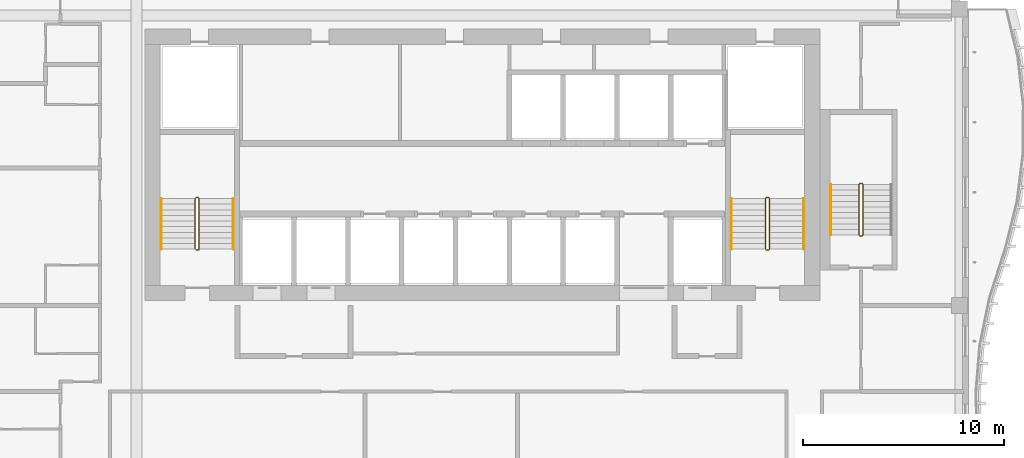
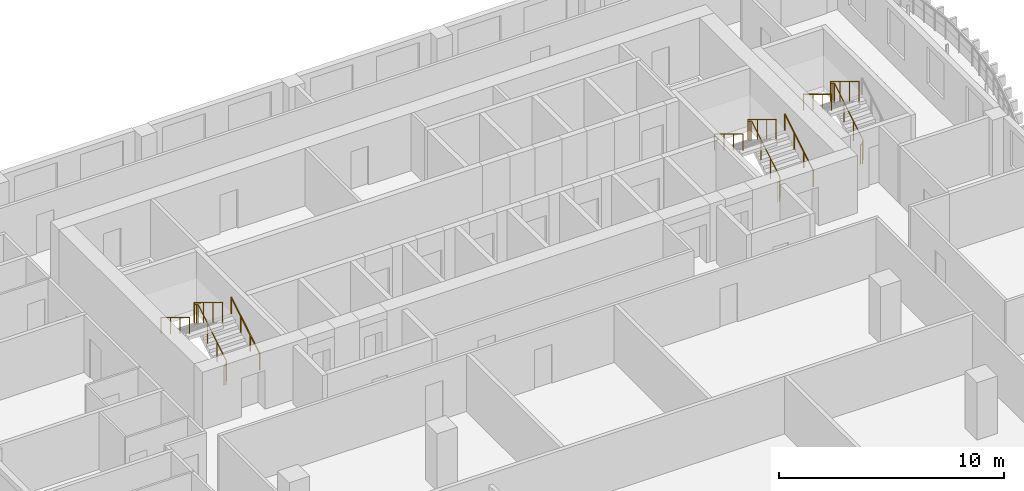
# One storey, part 21 of 22: 8 railings.
"""IFC4 building model written with IfcOpenShell, lengths in metres."""

from ifc_helpers import new_model, si_unit, direction, frame, origin, origin_2d, place, context, subcontext, project, spatial, circle, extrude, material, type_object, element, save


model = new_model("IFC4")

# Units and contexts
model_context = context("Model", 3, precision=1e-05, world=origin(), true_north=direction((0.0, 1.0)))
body_context = subcontext(model_context, "Body", "Model", "MODEL_VIEW")
ifc_project = project(units=[si_unit("LENGTHUNIT", "METRE"), si_unit("AREAUNIT", "SQUARE_METRE"), si_unit("VOLUMEUNIT", "CUBIC_METRE"), si_unit("PLANEANGLEUNIT", "RADIAN"), si_unit("MASSUNIT", "GRAM", prefix="KILO")], contexts=[model_context])

# Site, building, storey
site_placement = place(None, origin())
site = spatial("IfcSite", under=ifc_project, at=site_placement, CompositionType="ELEMENT")
building_placement = place(site_placement, origin())
building = spatial("IfcBuilding", under=site, at=building_placement, Name="Kilnfold Tower and Market Hall", CompositionType="ELEMENT")
storey_placement = place(building_placement, frame((0.0, 0.0, 188.89990234375)))
storey = spatial("IfcBuildingStorey", under=building, at=storey_placement, Name="L45", CompositionType="ELEMENT", Elevation=188.89990234375)

# Railings
ifc_material_1 = material(Name="Stainless steel 316", Category="steel")
railing_type_1 = type_object("IfcRailingType", Name="CORE STAIR GUARD 1100", PredefinedType="GUARDRAIL", material=ifc_material_1)
railing_1_placement = place(storey_placement, frame((-13.199951171875, 10.75, 0.0)))
element("IfcRailing", 1, at=railing_1_placement, inside=storey, type_object=railing_type_1, Name="L45 ST1 stair guard 1", PredefinedType="GUARDRAIL", context=body_context, shape_type="SweptSolid", body=[
    extrude(circle(Radius=0.02392578125, at=origin_2d()), frame((0.0, 0.0, 1.076171875), z_axis=(1.0, 0.0, 0.0), x_axis=(0.0, 1.0, 0.0)), (0.0, 0.0, 1.0), 0.099853515625),
    extrude(circle(Radius=0.02392578125, at=origin_2d()), frame((0.099853515625, 0.0, 1.076171875), z_axis=(0.271562723297, 0.271562723297, 0.923313259209), x_axis=(-0.707106781187, 0.707106781187, 0.0)), (0.0, 0.0, 1.0), 0.184326171875),
    extrude(circle(Radius=0.02392578125, at=origin_2d()), frame((0.14990234375, 0.050048828125, 1.24609375), z_axis=(0.0, 0.85478489116, 0.518982456201), x_axis=(-1.0, 0.0, 0.0)), (0.0, 0.0, 1.0), 2.9482421875),
    extrude(circle(Radius=0.02392578125, at=origin_2d()), frame((0.14990234375, 2.570068359375, 2.7763671875), z_axis=(-0.707106781187, 0.707106781187, 0.0), x_axis=(-0.707106781187, -0.707106781187, 0.0)), (0.0, 0.0, 1.0), 0.07080078125),
    extrude(circle(Radius=0.02392578125, at=origin_2d()), frame((0.099853515625, 2.6201171875, 2.7763671875), z_axis=(-1.0, 0.0, 0.0), x_axis=(0.0, -1.0, 0.0)), (0.0, 0.0, 1.0), 0.099853515625),
    extrude(circle(Radius=0.02392578125, at=origin_2d()), frame((0.0, 2.6201171875, 2.7763671875), z_axis=(-0.271895245746, -0.271895245746, 0.923117517265), x_axis=(0.707106781187, -0.707106781187, 0.0)), (0.0, 0.0, 1.0), 0.18408203125),
    extrude(circle(Radius=0.02392578125, at=origin_2d()), frame((-0.050048828125, 2.570068359375, 2.9462890625), z_axis=(0.0, -0.85478489116, 0.518982456201), x_axis=(1.0, 0.0, 0.0)), (0.0, 0.0, 1.0), 2.9482421875),
    extrude(circle(Radius=0.02099609375, at=origin_2d()), origin(), (0.0, 0.0, 1.0), 1.052001953125),
    extrude(circle(Radius=0.02099609375, at=origin_2d()), frame((0.099853515625, 0.0, 0.0)), (0.0, 0.0, 1.0), 1.052001953125),
    extrude(circle(Radius=0.02099609375, at=origin_2d()), frame((0.14990234375, 0.050048828125, 0.170166015625)), (0.0, 0.0, 1.0), 1.052001953125),
    extrude(circle(Radius=0.02099609375, at=origin_2d()), frame((0.14990234375, 0.89013671875, 0.68017578125)), (0.0, 0.0, 1.0), 1.052001953125),
    extrude(circle(Radius=0.02099609375, at=origin_2d()), frame((0.14990234375, 1.72998046875, 1.190185546875)), (0.0, 0.0, 1.0), 1.052001953125),
    extrude(circle(Radius=0.02099609375, at=origin_2d()), frame((0.14990234375, 2.570068359375, 1.7001953125)), (0.0, 0.0, 1.0), 1.052001953125),
    extrude(circle(Radius=0.02099609375, at=origin_2d()), frame((0.099853515625, 2.6201171875, 1.7001953125)), (0.0, 0.0, 1.0), 1.052001953125),
    extrude(circle(Radius=0.02099609375, at=origin_2d()), frame((0.0, 2.6201171875, 1.7001953125)), (0.0, 0.0, 1.0), 1.052001953125),
    extrude(circle(Radius=0.02099609375, at=origin_2d()), frame((-0.050048828125, 2.570068359375, 1.8701171875)), (0.0, 0.0, 1.0), 1.052001953125),
    extrude(circle(Radius=0.02099609375, at=origin_2d()), frame((-0.050048828125, 1.72998046875, 2.380126953125)), (0.0, 0.0, 1.0), 1.052001953125),
    extrude(circle(Radius=0.02099609375, at=origin_2d()), frame((-0.050048828125, 0.89013671875, 2.89013671875)), (0.0, 0.0, 1.0), 1.052001953125),
    extrude(circle(Radius=0.02099609375, at=origin_2d()), frame((-0.050048828125, 0.050048828125, 3.400146484375)), (0.0, 0.0, 1.0), 1.052001953125),
])
railing_2_placement = place(storey_placement, frame((15.199951171875, 10.75, 0.0)))
element("IfcRailing", 2, at=railing_2_placement, inside=storey, type_object=railing_type_1, Name="L45 ST2 stair guard 1", PredefinedType="GUARDRAIL", context=body_context, shape_type="SweptSolid", body=[
    extrude(circle(Radius=0.02392578125, at=origin_2d()), frame((0.0, 0.0, 1.076171875), z_axis=(1.0, 0.0, 0.0), x_axis=(0.0, 1.0, 0.0)), (0.0, 0.0, 1.0), 0.10009765625),
    extrude(circle(Radius=0.02392578125, at=origin_2d()), frame((0.10009765625, 0.0, 1.076171875), z_axis=(0.271562723297, 0.271562723297, 0.923313259209), x_axis=(-0.707106781187, 0.707106781187, 0.0)), (0.0, 0.0, 1.0), 0.184326171875),
    extrude(circle(Radius=0.02392578125, at=origin_2d()), frame((0.150146484375, 0.050048828125, 1.24609375), z_axis=(0.0, 0.85478489116, 0.518982456201), x_axis=(-1.0, 0.0, 0.0)), (0.0, 0.0, 1.0), 2.9482421875),
    extrude(circle(Radius=0.02392578125, at=origin_2d()), frame((0.150146484375, 2.570068359375, 2.7763671875), z_axis=(-0.707106781187, 0.707106781187, 0.0), x_axis=(-0.707106781187, -0.707106781187, 0.0)), (0.0, 0.0, 1.0), 0.07080078125),
    extrude(circle(Radius=0.02392578125, at=origin_2d()), frame((0.10009765625, 2.6201171875, 2.7763671875), z_axis=(-1.0, 0.0, 0.0), x_axis=(0.0, -1.0, 0.0)), (0.0, 0.0, 1.0), 0.10009765625),
    extrude(circle(Radius=0.02392578125, at=origin_2d()), frame((0.0, 2.6201171875, 2.7763671875), z_axis=(-0.271895245746, -0.271895245746, 0.923117517265), x_axis=(0.707106781187, -0.707106781187, 0.0)), (0.0, 0.0, 1.0), 0.18408203125),
    extrude(circle(Radius=0.02392578125, at=origin_2d()), frame((-0.050048828125, 2.570068359375, 2.9462890625), z_axis=(0.0, -0.85478489116, 0.518982456201), x_axis=(1.0, 0.0, 0.0)), (0.0, 0.0, 1.0), 2.9482421875),
    extrude(circle(Radius=0.02099609375, at=origin_2d()), origin(), (0.0, 0.0, 1.0), 1.052001953125),
    extrude(circle(Radius=0.02099609375, at=origin_2d()), frame((0.10009765625, 0.0, 0.0)), (0.0, 0.0, 1.0), 1.052001953125),
    extrude(circle(Radius=0.02099609375, at=origin_2d()), frame((0.150146484375, 0.050048828125, 0.170166015625)), (0.0, 0.0, 1.0), 1.052001953125),
    extrude(circle(Radius=0.02099609375, at=origin_2d()), frame((0.150146484375, 0.89013671875, 0.68017578125)), (0.0, 0.0, 1.0), 1.052001953125),
    extrude(circle(Radius=0.02099609375, at=origin_2d()), frame((0.150146484375, 1.72998046875, 1.190185546875)), (0.0, 0.0, 1.0), 1.052001953125),
    extrude(circle(Radius=0.02099609375, at=origin_2d()), frame((0.150146484375, 2.570068359375, 1.7001953125)), (0.0, 0.0, 1.0), 1.052001953125),
    extrude(circle(Radius=0.02099609375, at=origin_2d()), frame((0.10009765625, 2.6201171875, 1.7001953125)), (0.0, 0.0, 1.0), 1.052001953125),
    extrude(circle(Radius=0.02099609375, at=origin_2d()), frame((0.0, 2.6201171875, 1.7001953125)), (0.0, 0.0, 1.0), 1.052001953125),
    extrude(circle(Radius=0.02099609375, at=origin_2d()), frame((-0.050048828125, 2.570068359375, 1.8701171875)), (0.0, 0.0, 1.0), 1.052001953125),
    extrude(circle(Radius=0.02099609375, at=origin_2d()), frame((-0.050048828125, 1.72998046875, 2.380126953125)), (0.0, 0.0, 1.0), 1.052001953125),
    extrude(circle(Radius=0.02099609375, at=origin_2d()), frame((-0.050048828125, 0.89013671875, 2.89013671875)), (0.0, 0.0, 1.0), 1.052001953125),
    extrude(circle(Radius=0.02099609375, at=origin_2d()), frame((-0.050048828125, 0.050048828125, 3.400146484375)), (0.0, 0.0, 1.0), 1.052001953125),
])
railing_3_placement = place(storey_placement, frame((19.85009765625, 11.449951171875, 0.0)))
element("IfcRailing", 3, at=railing_3_placement, inside=storey, type_object=railing_type_1, Name="L45 ST5 stair guard 1", PredefinedType="GUARDRAIL", context=body_context, shape_type="SweptSolid", body=[
    extrude(circle(Radius=0.02392578125, at=origin_2d()), frame((0.0, 0.0, 1.076171875), z_axis=(1.0, 0.0, 0.0), x_axis=(0.0, 1.0, 0.0)), (0.0, 0.0, 1.0), 0.099853515625),
    extrude(circle(Radius=0.02392578125, at=origin_2d()), frame((0.099853515625, 0.0, 1.076171875), z_axis=(0.271562723297, 0.271562723297, 0.923313259209), x_axis=(-0.707106781187, 0.707106781187, 0.0)), (0.0, 0.0, 1.0), 0.184326171875),
    extrude(circle(Radius=0.02392578125, at=origin_2d()), frame((0.14990234375, 0.050048828125, 1.24609375), z_axis=(0.0, 0.85478489116, 0.518982456201), x_axis=(-1.0, 0.0, 0.0)), (0.0, 0.0, 1.0), 2.9482421875),
    extrude(circle(Radius=0.02392578125, at=origin_2d()), frame((0.14990234375, 2.570068359375, 2.7763671875), z_axis=(-0.707106781187, 0.707106781187, 0.0), x_axis=(-0.707106781187, -0.707106781187, 0.0)), (0.0, 0.0, 1.0), 0.07080078125),
    extrude(circle(Radius=0.02392578125, at=origin_2d()), frame((0.099853515625, 2.6201171875, 2.7763671875), z_axis=(-1.0, 0.0, 0.0), x_axis=(0.0, -1.0, 0.0)), (0.0, 0.0, 1.0), 0.099853515625),
    extrude(circle(Radius=0.02392578125, at=origin_2d()), frame((0.0, 2.6201171875, 2.7763671875), z_axis=(-0.271895245746, -0.271895245746, 0.923117517265), x_axis=(0.707106781187, -0.707106781187, 0.0)), (0.0, 0.0, 1.0), 0.18408203125),
    extrude(circle(Radius=0.02392578125, at=origin_2d()), frame((-0.050048828125, 2.570068359375, 2.9462890625), z_axis=(0.0, -0.85478489116, 0.518982456201), x_axis=(1.0, 0.0, 0.0)), (0.0, 0.0, 1.0), 2.9482421875),
    extrude(circle(Radius=0.02099609375, at=origin_2d()), origin(), (0.0, 0.0, 1.0), 1.052001953125),
    extrude(circle(Radius=0.02099609375, at=origin_2d()), frame((0.099853515625, 0.0, 0.0)), (0.0, 0.0, 1.0), 1.052001953125),
    extrude(circle(Radius=0.02099609375, at=origin_2d()), frame((0.14990234375, 0.050048828125, 0.170166015625)), (0.0, 0.0, 1.0), 1.052001953125),
    extrude(circle(Radius=0.02099609375, at=origin_2d()), frame((0.14990234375, 0.89013671875, 0.68017578125)), (0.0, 0.0, 1.0), 1.052001953125),
    extrude(circle(Radius=0.02099609375, at=origin_2d()), frame((0.14990234375, 1.72998046875, 1.190185546875)), (0.0, 0.0, 1.0), 1.052001953125),
    extrude(circle(Radius=0.02099609375, at=origin_2d()), frame((0.14990234375, 2.570068359375, 1.7001953125)), (0.0, 0.0, 1.0), 1.052001953125),
    extrude(circle(Radius=0.02099609375, at=origin_2d()), frame((0.099853515625, 2.6201171875, 1.7001953125)), (0.0, 0.0, 1.0), 1.052001953125),
    extrude(circle(Radius=0.02099609375, at=origin_2d()), frame((0.0, 2.6201171875, 1.7001953125)), (0.0, 0.0, 1.0), 1.052001953125),
    extrude(circle(Radius=0.02099609375, at=origin_2d()), frame((-0.050048828125, 2.570068359375, 1.8701171875)), (0.0, 0.0, 1.0), 1.052001953125),
    extrude(circle(Radius=0.02099609375, at=origin_2d()), frame((-0.050048828125, 1.72998046875, 2.380126953125)), (0.0, 0.0, 1.0), 1.052001953125),
    extrude(circle(Radius=0.02099609375, at=origin_2d()), frame((-0.050048828125, 0.89013671875, 2.89013671875)), (0.0, 0.0, 1.0), 1.052001953125),
    extrude(circle(Radius=0.02099609375, at=origin_2d()), frame((-0.050048828125, 0.050048828125, 3.400146484375)), (0.0, 0.0, 1.0), 1.052001953125),
])
ifc_material_2 = material(Name="Stainless steel 316", Category="steel")
railing_type_2 = type_object("IfcRailingType", Name="CORE STAIR HANDRAIL 900", PredefinedType="HANDRAIL", material=ifc_material_2)
railing_4_placement = place(storey_placement, frame((-11.35009765625, 10.800048828125, 0.170166015625)))
element("IfcRailing", 4, at=railing_4_placement, inside=storey, type_object=railing_type_2, Name="L45 ST1 stair handrail 1", PredefinedType="HANDRAIL", context=body_context, shape_type="SweptSolid", body=[
    extrude(circle(Radius=0.02392578125, at=origin_2d()), frame((0.0, 0.0, 0.8759765625), z_axis=(0.0, 0.85478489116, 0.518982456201), x_axis=(-1.0, 0.0, 0.0)), (0.0, 0.0, 1.0), 2.9482421875),
    extrude(circle(Radius=0.02099609375, at=origin_2d()), origin(), (0.0, 0.0, 1.0), 0.851806640625),
    extrude(circle(Radius=0.02099609375, at=origin_2d()), frame((0.0, 0.840087890625, 0.510009765625)), (0.0, 0.0, 1.0), 0.851806640625),
    extrude(circle(Radius=0.02099609375, at=origin_2d()), frame((0.0, 1.679931640625, 1.02001953125)), (0.0, 0.0, 1.0), 0.851806640625),
    extrude(circle(Radius=0.02099609375, at=origin_2d()), frame((0.0, 2.52001953125, 1.530029296875)), (0.0, 0.0, 1.0), 0.851806640625),
])
railing_5_placement = place(storey_placement, frame((-14.949951171875, 13.320068359375, 1.8701171875)))
element("IfcRailing", 5, at=railing_5_placement, inside=storey, type_object=railing_type_2, Name="L45 ST1 stair handrail 2", PredefinedType="HANDRAIL", context=body_context, shape_type="SweptSolid", body=[
    extrude(circle(Radius=0.02392578125, at=origin_2d()), frame((0.0, 0.0, 0.8759765625), z_axis=(0.0, -0.85478489116, 0.518982456201), x_axis=(1.0, 0.0, 0.0)), (0.0, 0.0, 1.0), 2.9482421875),
    extrude(circle(Radius=0.02099609375, at=origin_2d()), origin(), (0.0, 0.0, 1.0), 0.851806640625),
    extrude(circle(Radius=0.02099609375, at=origin_2d()), frame((0.0, -0.840087890625, 0.510009765625)), (0.0, 0.0, 1.0), 0.851806640625),
    extrude(circle(Radius=0.02099609375, at=origin_2d()), frame((0.0, -1.679931640625, 1.02001953125)), (0.0, 0.0, 1.0), 0.851806640625),
    extrude(circle(Radius=0.02099609375, at=origin_2d()), frame((0.0, -2.52001953125, 1.530029296875)), (0.0, 0.0, 1.0), 0.851806640625),
])
railing_6_placement = place(storey_placement, frame((17.050048828125, 10.800048828125, 0.170166015625)))
element("IfcRailing", 6, at=railing_6_placement, inside=storey, type_object=railing_type_2, Name="L45 ST2 stair handrail 1", PredefinedType="HANDRAIL", context=body_context, shape_type="SweptSolid", body=[
    extrude(circle(Radius=0.02392578125, at=origin_2d()), frame((0.0, 0.0, 0.8759765625), z_axis=(0.0, 0.85478489116, 0.518982456201), x_axis=(-1.0, 0.0, 0.0)), (0.0, 0.0, 1.0), 2.9482421875),
    extrude(circle(Radius=0.02099609375, at=origin_2d()), origin(), (0.0, 0.0, 1.0), 0.851806640625),
    extrude(circle(Radius=0.02099609375, at=origin_2d()), frame((0.0, 0.840087890625, 0.510009765625)), (0.0, 0.0, 1.0), 0.851806640625),
    extrude(circle(Radius=0.02099609375, at=origin_2d()), frame((0.0, 1.679931640625, 1.02001953125)), (0.0, 0.0, 1.0), 0.851806640625),
    extrude(circle(Radius=0.02099609375, at=origin_2d()), frame((0.0, 2.52001953125, 1.530029296875)), (0.0, 0.0, 1.0), 0.851806640625),
])
for number, where, name in (
    (7, (13.449951171875, 13.320068359375, 1.8701171875), "L45 ST2 stair handrail 2"),
    (8, (18.39990234375, 14.02001953125, 1.8701171875), "L45 ST5 stair handrail 2"),
):
    element("IfcRailing", number, at=place(storey_placement, frame(where)), inside=storey, type_object=railing_type_2, Name=name, PredefinedType="HANDRAIL", context=body_context, shape_type="SweptSolid", body=[
        extrude(circle(Radius=0.02392578125, at=origin_2d()), frame((0.0, 0.0, 0.8759765625), z_axis=(0.0, -0.85478489116, 0.518982456201), x_axis=(1.0, 0.0, 0.0)), (0.0, 0.0, 1.0), 2.9482421875),
        extrude(circle(Radius=0.02099609375, at=origin_2d()), origin(), (0.0, 0.0, 1.0), 0.851806640625),
        extrude(circle(Radius=0.02099609375, at=origin_2d()), frame((0.0, -0.840087890625, 0.510009765625)), (0.0, 0.0, 1.0), 0.851806640625),
        extrude(circle(Radius=0.02099609375, at=origin_2d()), frame((0.0, -1.679931640625, 1.02001953125)), (0.0, 0.0, 1.0), 0.851806640625),
        extrude(circle(Radius=0.02099609375, at=origin_2d()), frame((0.0, -2.52001953125, 1.530029296875)), (0.0, 0.0, 1.0), 0.851806640625),
    ])

save(model, "model.ifc")
